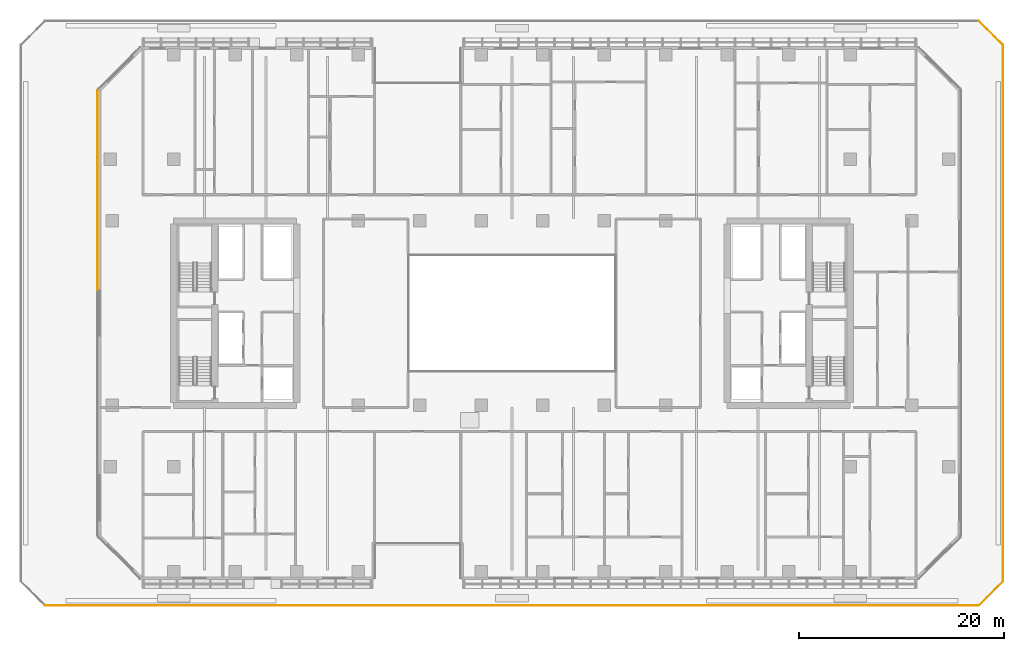
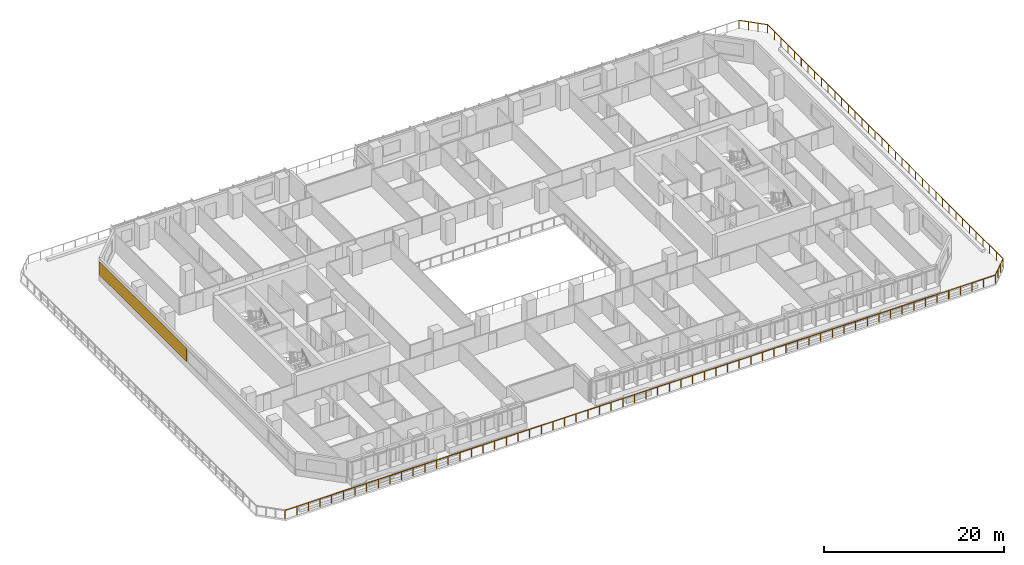
# One storey, part 17 of 23: 1 covering, 1 railing.
"""IFC4 building model written with IfcOpenShell, lengths in metres."""

from ifc_helpers import new_model, si_unit, direction, frame, origin, origin_2d, place, context, subcontext, project, spatial, rectangle, extrude, material, layer, layer_set, type_object, element, save


model = new_model("IFC4")

# Units and contexts
model_context = context("Model", 3, precision=1e-05, world=origin(), true_north=direction((0.0, 1.0)))
body_context = subcontext(model_context, "Body", "Model", "MODEL_VIEW")
ifc_project = project(units=[si_unit("LENGTHUNIT", "METRE"), si_unit("AREAUNIT", "SQUARE_METRE"), si_unit("VOLUMEUNIT", "CUBIC_METRE"), si_unit("PLANEANGLEUNIT", "RADIAN"), si_unit("MASSUNIT", "GRAM", prefix="KILO")], contexts=[model_context])

# Site, building, storey
site_placement = place(None, origin())
site = spatial("IfcSite", under=ifc_project, at=site_placement, CompositionType="ELEMENT")
building_placement = place(site_placement, origin())
building = spatial("IfcBuilding", under=site, at=building_placement, Name="Tanjung Sevakor Pilgrim Tower", CompositionType="ELEMENT")
storey_placement = place(building_placement, frame((0.0, 0.0, 29.0400390625)))
storey = spatial("IfcBuildingStorey", under=building, at=storey_placement, Name="L07", CompositionType="ELEMENT", Elevation=29.0400390625)

# Covering
ifc_material_1 = material(Name="Reconstructed Limestone Cladding", Category="masonry")
ifc_layer = layer(ifc_material_1, 0.044921875)
ifc_layer_set = layer_set([ifc_layer], Name="COV-CLAD-LIMESTONE")
covering_type = type_object("IfcCoveringType", Name="COV-CLAD-LIMESTONE", PredefinedType="CLADDING", material=ifc_layer_set)
covering_placement = place(storey_placement, frame((16.577392578125, 45.575927734375, 0.849853515625), z_axis=(0.0, 0.0, 1.0), x_axis=(0.0, -1.0, 0.0)))
element("IfcCovering", 1, at=covering_placement, inside=storey, type_object=covering_type, Name="L07 Warm Limestone Pier Panel EW-L07-MAIN-15-1", PredefinedType="CLADDING", context=body_context, shape_type="SweptSolid", body=[
    extrude(rectangle(XDim=19.451904296875, YDim=0.044921875, at=origin_2d()), origin(), (0.0, 0.0, 1.0), 1.81005859375),
])

# Railing
ifc_material_2 = material(Name="Steel S355J2", Category="steel")
railing_type = type_object("IfcRailingType", Name="RL-EXT-GUARD", PredefinedType="GUARDRAIL", material=ifc_material_2)
railing_placement = place(storey_placement, frame((11.44140625, 5.10009765625, 0.0)))
element("IfcRailing", 2, at=railing_placement, inside=storey, type_object=railing_type, Name="L07 Terrace Perimeter Guardrail GR-PODTER-L07-1", PredefinedType="GUARDRAIL", context=body_context, shape_type="SweptSolid", body=[
    extrude(rectangle(XDim=0.0479, YDim=0.0479), frame((0.0, 0.0, 1.1259765625), z_axis=(1.0, 0.0, 0.0), x_axis=(0.0, 1.0, 0.0)), (0.0, 0.0, 1.0), 91.1171875),
    extrude(rectangle(XDim=0.0479, YDim=0.0479), frame((91.1171875, 0.0, 1.1259765625), z_axis=(0.707106781187, 0.707106781187, 0.0), x_axis=(-0.707106781187, 0.707106781187, 0.0)), (0.0, 0.0, 1.0), 3.31103515625),
    extrude(rectangle(XDim=0.0479, YDim=0.0479), frame((93.45849609375, 2.34130859375, 1.1259765625), z_axis=(0.0, 1.0, 0.0), x_axis=(-1.0, 0.0, 0.0)), (0.0, 0.0, 1.0), 52.317138671875),
    extrude(rectangle(XDim=0.0479, YDim=0.0479), frame((93.45849609375, 54.658447265625, 1.1259765625), z_axis=(-0.707069915266, 0.707143645185, 0.0), x_axis=(-0.707143645185, -0.707069915266, 0.0)), (0.0, 0.0, 1.0), 3.311279296875),
    extrude(rectangle(XDim=0.042, YDim=0.042), origin(), (0.0, 0.0, 1.0), 1.101806640625),
    extrude(rectangle(XDim=0.042, YDim=0.042), frame((1.49365234375, 0.0, 0.0)), (0.0, 0.0, 1.0), 1.101806640625),
    extrude(rectangle(XDim=0.042, YDim=0.042), frame((2.987548828125, 0.0, 0.0)), (0.0, 0.0, 1.0), 1.101806640625),
    extrude(rectangle(XDim=0.042, YDim=0.042), frame((4.481201171875, 0.0, 0.0)), (0.0, 0.0, 1.0), 1.101806640625),
    extrude(rectangle(XDim=0.042, YDim=0.042), frame((5.974853515625, 0.0, 0.0)), (0.0, 0.0, 1.0), 1.101806640625),
    extrude(rectangle(XDim=0.042, YDim=0.042), frame((7.468505859375, 0.0, 0.0)), (0.0, 0.0, 1.0), 1.101806640625),
    extrude(rectangle(XDim=0.042, YDim=0.042), frame((8.96240234375, 0.0, 0.0)), (0.0, 0.0, 1.0), 1.101806640625),
    extrude(rectangle(XDim=0.042, YDim=0.042), frame((10.4560546875, 0.0, 0.0)), (0.0, 0.0, 1.0), 1.101806640625),
    extrude(rectangle(XDim=0.042, YDim=0.042), frame((11.94970703125, 0.0, 0.0)), (0.0, 0.0, 1.0), 1.101806640625),
    extrude(rectangle(XDim=0.042, YDim=0.042), frame((13.443603515625, 0.0, 0.0)), (0.0, 0.0, 1.0), 1.101806640625),
    extrude(rectangle(XDim=0.042, YDim=0.042), frame((14.937255859375, 0.0, 0.0)), (0.0, 0.0, 1.0), 1.101806640625),
    extrude(rectangle(XDim=0.042, YDim=0.042), frame((16.430908203125, 0.0, 0.0)), (0.0, 0.0, 1.0), 1.101806640625),
    extrude(rectangle(XDim=0.042, YDim=0.042), frame((17.9248046875, 0.0, 0.0)), (0.0, 0.0, 1.0), 1.101806640625),
    extrude(rectangle(XDim=0.042, YDim=0.042), frame((19.41845703125, 0.0, 0.0)), (0.0, 0.0, 1.0), 1.101806640625),
    extrude(rectangle(XDim=0.042, YDim=0.042), frame((20.912109375, 0.0, 0.0)), (0.0, 0.0, 1.0), 1.101806640625),
    extrude(rectangle(XDim=0.042, YDim=0.042), frame((22.40576171875, 0.0, 0.0)), (0.0, 0.0, 1.0), 1.101806640625),
    extrude(rectangle(XDim=0.042, YDim=0.042), frame((23.899658203125, 0.0, 0.0)), (0.0, 0.0, 1.0), 1.101806640625),
    extrude(rectangle(XDim=0.042, YDim=0.042), frame((25.393310546875, 0.0, 0.0)), (0.0, 0.0, 1.0), 1.101806640625),
    extrude(rectangle(XDim=0.042, YDim=0.042), frame((26.886962890625, 0.0, 0.0)), (0.0, 0.0, 1.0), 1.101806640625),
    extrude(rectangle(XDim=0.042, YDim=0.042), frame((28.380859375, 0.0, 0.0)), (0.0, 0.0, 1.0), 1.101806640625),
    extrude(rectangle(XDim=0.042, YDim=0.042), frame((29.87451171875, 0.0, 0.0)), (0.0, 0.0, 1.0), 1.101806640625),
    extrude(rectangle(XDim=0.042, YDim=0.042), frame((31.3681640625, 0.0, 0.0)), (0.0, 0.0, 1.0), 1.101806640625),
    extrude(rectangle(XDim=0.042, YDim=0.042), frame((32.86181640625, 0.0, 0.0)), (0.0, 0.0, 1.0), 1.101806640625),
    extrude(rectangle(XDim=0.042, YDim=0.042), frame((34.355712890625, 0.0, 0.0)), (0.0, 0.0, 1.0), 1.101806640625),
    extrude(rectangle(XDim=0.042, YDim=0.042), frame((35.849365234375, 0.0, 0.0)), (0.0, 0.0, 1.0), 1.101806640625),
    extrude(rectangle(XDim=0.042, YDim=0.042), frame((37.343017578125, 0.0, 0.0)), (0.0, 0.0, 1.0), 1.101806640625),
    extrude(rectangle(XDim=0.042, YDim=0.042), frame((38.8369140625, 0.0, 0.0)), (0.0, 0.0, 1.0), 1.101806640625),
    extrude(rectangle(XDim=0.042, YDim=0.042), frame((40.33056640625, 0.0, 0.0)), (0.0, 0.0, 1.0), 1.101806640625),
    extrude(rectangle(XDim=0.042, YDim=0.042), frame((41.82421875, 0.0, 0.0)), (0.0, 0.0, 1.0), 1.101806640625),
    extrude(rectangle(XDim=0.042, YDim=0.042), frame((43.318115234375, 0.0, 0.0)), (0.0, 0.0, 1.0), 1.101806640625),
    extrude(rectangle(XDim=0.042, YDim=0.042), frame((44.811767578125, 0.0, 0.0)), (0.0, 0.0, 1.0), 1.101806640625),
    extrude(rectangle(XDim=0.042, YDim=0.042), frame((46.305419921875, 0.0, 0.0)), (0.0, 0.0, 1.0), 1.101806640625),
    extrude(rectangle(XDim=0.042, YDim=0.042), frame((47.799072265625, 0.0, 0.0)), (0.0, 0.0, 1.0), 1.101806640625),
    extrude(rectangle(XDim=0.042, YDim=0.042), frame((49.29296875, 0.0, 0.0)), (0.0, 0.0, 1.0), 1.101806640625),
    extrude(rectangle(XDim=0.042, YDim=0.042), frame((50.78662109375, 0.0, 0.0)), (0.0, 0.0, 1.0), 1.101806640625),
    extrude(rectangle(XDim=0.042, YDim=0.042), frame((52.2802734375, 0.0, 0.0)), (0.0, 0.0, 1.0), 1.101806640625),
    extrude(rectangle(XDim=0.042, YDim=0.042), frame((53.774169921875, 0.0, 0.0)), (0.0, 0.0, 1.0), 1.101806640625),
    extrude(rectangle(XDim=0.042, YDim=0.042), frame((55.267822265625, 0.0, 0.0)), (0.0, 0.0, 1.0), 1.101806640625),
    extrude(rectangle(XDim=0.042, YDim=0.042), frame((56.761474609375, 0.0, 0.0)), (0.0, 0.0, 1.0), 1.101806640625),
    extrude(rectangle(XDim=0.042, YDim=0.042), frame((58.25537109375, 0.0, 0.0)), (0.0, 0.0, 1.0), 1.101806640625),
    extrude(rectangle(XDim=0.042, YDim=0.042), frame((59.7490234375, 0.0, 0.0)), (0.0, 0.0, 1.0), 1.101806640625),
    extrude(rectangle(XDim=0.042, YDim=0.042), frame((61.24267578125, 0.0, 0.0)), (0.0, 0.0, 1.0), 1.101806640625),
    extrude(rectangle(XDim=0.042, YDim=0.042), frame((62.736328125, 0.0, 0.0)), (0.0, 0.0, 1.0), 1.101806640625),
    extrude(rectangle(XDim=0.042, YDim=0.042), frame((64.230224609375, 0.0, 0.0)), (0.0, 0.0, 1.0), 1.101806640625),
    extrude(rectangle(XDim=0.042, YDim=0.042), frame((65.723876953125, 0.0, 0.0)), (0.0, 0.0, 1.0), 1.101806640625),
    extrude(rectangle(XDim=0.042, YDim=0.042), frame((67.217529296875, 0.0, 0.0)), (0.0, 0.0, 1.0), 1.101806640625),
    extrude(rectangle(XDim=0.042, YDim=0.042), frame((68.71142578125, 0.0, 0.0)), (0.0, 0.0, 1.0), 1.101806640625),
    extrude(rectangle(XDim=0.042, YDim=0.042), frame((70.205078125, 0.0, 0.0)), (0.0, 0.0, 1.0), 1.101806640625),
    extrude(rectangle(XDim=0.042, YDim=0.042), frame((71.69873046875, 0.0, 0.0)), (0.0, 0.0, 1.0), 1.101806640625),
    extrude(rectangle(XDim=0.042, YDim=0.042), frame((73.1923828125, 0.0, 0.0)), (0.0, 0.0, 1.0), 1.101806640625),
    extrude(rectangle(XDim=0.042, YDim=0.042), frame((74.686279296875, 0.0, 0.0)), (0.0, 0.0, 1.0), 1.101806640625),
    extrude(rectangle(XDim=0.042, YDim=0.042), frame((76.179931640625, 0.0, 0.0)), (0.0, 0.0, 1.0), 1.101806640625),
    extrude(rectangle(XDim=0.042, YDim=0.042), frame((77.673583984375, 0.0, 0.0)), (0.0, 0.0, 1.0), 1.101806640625),
    extrude(rectangle(XDim=0.042, YDim=0.042), frame((79.16748046875, 0.0, 0.0)), (0.0, 0.0, 1.0), 1.101806640625),
    extrude(rectangle(XDim=0.042, YDim=0.042), frame((80.6611328125, 0.0, 0.0)), (0.0, 0.0, 1.0), 1.101806640625),
    extrude(rectangle(XDim=0.042, YDim=0.042), frame((82.15478515625, 0.0, 0.0)), (0.0, 0.0, 1.0), 1.101806640625),
    extrude(rectangle(XDim=0.042, YDim=0.042), frame((83.648681640625, 0.0, 0.0)), (0.0, 0.0, 1.0), 1.101806640625),
    extrude(rectangle(XDim=0.042, YDim=0.042), frame((85.142333984375, 0.0, 0.0)), (0.0, 0.0, 1.0), 1.101806640625),
    extrude(rectangle(XDim=0.042, YDim=0.042), frame((86.635986328125, 0.0, 0.0)), (0.0, 0.0, 1.0), 1.101806640625),
    extrude(rectangle(XDim=0.042, YDim=0.042), frame((88.129638671875, 0.0, 0.0)), (0.0, 0.0, 1.0), 1.101806640625),
    extrude(rectangle(XDim=0.042, YDim=0.042), frame((89.62353515625, 0.0, 0.0)), (0.0, 0.0, 1.0), 1.101806640625),
    extrude(rectangle(XDim=0.042, YDim=0.042), frame((91.1171875, 0.0, 0.0)), (0.0, 0.0, 1.0), 1.101806640625),
    extrude(rectangle(XDim=0.042, YDim=0.042), frame((91.897705078125, 0.780517578125, 0.0)), (0.0, 0.0, 1.0), 1.101806640625),
    extrude(rectangle(XDim=0.042, YDim=0.042), frame((92.677978515625, 1.560791015625, 0.0)), (0.0, 0.0, 1.0), 1.101806640625),
    extrude(rectangle(XDim=0.042, YDim=0.042), frame((93.45849609375, 2.34130859375, 0.0)), (0.0, 0.0, 1.0), 1.101806640625),
    extrude(rectangle(XDim=0.042, YDim=0.042), frame((93.45849609375, 3.836181640625, 0.0)), (0.0, 0.0, 1.0), 1.101806640625),
    extrude(rectangle(XDim=0.042, YDim=0.042), frame((93.45849609375, 5.330810546875, 0.0)), (0.0, 0.0, 1.0), 1.101806640625),
    extrude(rectangle(XDim=0.042, YDim=0.042), frame((93.45849609375, 6.82568359375, 0.0)), (0.0, 0.0, 1.0), 1.101806640625),
    extrude(rectangle(XDim=0.042, YDim=0.042), frame((93.45849609375, 8.3203125, 0.0)), (0.0, 0.0, 1.0), 1.101806640625),
    extrude(rectangle(XDim=0.042, YDim=0.042), frame((93.45849609375, 9.815185546875, 0.0)), (0.0, 0.0, 1.0), 1.101806640625),
    extrude(rectangle(XDim=0.042, YDim=0.042), frame((93.45849609375, 11.31005859375, 0.0)), (0.0, 0.0, 1.0), 1.101806640625),
    extrude(rectangle(XDim=0.042, YDim=0.042), frame((93.45849609375, 12.8046875, 0.0)), (0.0, 0.0, 1.0), 1.101806640625),
    extrude(rectangle(XDim=0.042, YDim=0.042), frame((93.45849609375, 14.299560546875, 0.0)), (0.0, 0.0, 1.0), 1.101806640625),
    extrude(rectangle(XDim=0.042, YDim=0.042), frame((93.45849609375, 15.794189453125, 0.0)), (0.0, 0.0, 1.0), 1.101806640625),
    extrude(rectangle(XDim=0.042, YDim=0.042), frame((93.45849609375, 17.2890625, 0.0)), (0.0, 0.0, 1.0), 1.101806640625),
    extrude(rectangle(XDim=0.042, YDim=0.042), frame((93.45849609375, 18.783935546875, 0.0)), (0.0, 0.0, 1.0), 1.101806640625),
    extrude(rectangle(XDim=0.042, YDim=0.042), frame((93.45849609375, 20.278564453125, 0.0)), (0.0, 0.0, 1.0), 1.101806640625),
    extrude(rectangle(XDim=0.042, YDim=0.042), frame((93.45849609375, 21.7734375, 0.0)), (0.0, 0.0, 1.0), 1.101806640625),
    extrude(rectangle(XDim=0.042, YDim=0.042), frame((93.45849609375, 23.26806640625, 0.0)), (0.0, 0.0, 1.0), 1.101806640625),
    extrude(rectangle(XDim=0.042, YDim=0.042), frame((93.45849609375, 24.762939453125, 0.0)), (0.0, 0.0, 1.0), 1.101806640625),
    extrude(rectangle(XDim=0.042, YDim=0.042), frame((93.45849609375, 26.2578125, 0.0)), (0.0, 0.0, 1.0), 1.101806640625),
    extrude(rectangle(XDim=0.042, YDim=0.042), frame((93.45849609375, 27.75244140625, 0.0)), (0.0, 0.0, 1.0), 1.101806640625),
    extrude(rectangle(XDim=0.042, YDim=0.042), frame((93.45849609375, 29.247314453125, 0.0)), (0.0, 0.0, 1.0), 1.101806640625),
    extrude(rectangle(XDim=0.042, YDim=0.042), frame((93.45849609375, 30.741943359375, 0.0)), (0.0, 0.0, 1.0), 1.101806640625),
    extrude(rectangle(XDim=0.042, YDim=0.042), frame((93.45849609375, 32.23681640625, 0.0)), (0.0, 0.0, 1.0), 1.101806640625),
    extrude(rectangle(XDim=0.042, YDim=0.042), frame((93.45849609375, 33.731689453125, 0.0)), (0.0, 0.0, 1.0), 1.101806640625),
    extrude(rectangle(XDim=0.042, YDim=0.042), frame((93.45849609375, 35.226318359375, 0.0)), (0.0, 0.0, 1.0), 1.101806640625),
    extrude(rectangle(XDim=0.042, YDim=0.042), frame((93.45849609375, 36.72119140625, 0.0)), (0.0, 0.0, 1.0), 1.101806640625),
    extrude(rectangle(XDim=0.042, YDim=0.042), frame((93.45849609375, 38.2158203125, 0.0)), (0.0, 0.0, 1.0), 1.101806640625),
    extrude(rectangle(XDim=0.042, YDim=0.042), frame((93.45849609375, 39.710693359375, 0.0)), (0.0, 0.0, 1.0), 1.101806640625),
    extrude(rectangle(XDim=0.042, YDim=0.042), frame((93.45849609375, 41.20556640625, 0.0)), (0.0, 0.0, 1.0), 1.101806640625),
    extrude(rectangle(XDim=0.042, YDim=0.042), frame((93.45849609375, 42.7001953125, 0.0)), (0.0, 0.0, 1.0), 1.101806640625),
    extrude(rectangle(XDim=0.042, YDim=0.042), frame((93.45849609375, 44.195068359375, 0.0)), (0.0, 0.0, 1.0), 1.101806640625),
    extrude(rectangle(XDim=0.042, YDim=0.042), frame((93.45849609375, 45.689697265625, 0.0)), (0.0, 0.0, 1.0), 1.101806640625),
    extrude(rectangle(XDim=0.042, YDim=0.042), frame((93.45849609375, 47.1845703125, 0.0)), (0.0, 0.0, 1.0), 1.101806640625),
    extrude(rectangle(XDim=0.042, YDim=0.042), frame((93.45849609375, 48.679443359375, 0.0)), (0.0, 0.0, 1.0), 1.101806640625),
    extrude(rectangle(XDim=0.042, YDim=0.042), frame((93.45849609375, 50.174072265625, 0.0)), (0.0, 0.0, 1.0), 1.101806640625),
    extrude(rectangle(XDim=0.042, YDim=0.042), frame((93.45849609375, 51.6689453125, 0.0)), (0.0, 0.0, 1.0), 1.101806640625),
    extrude(rectangle(XDim=0.042, YDim=0.042), frame((93.45849609375, 53.16357421875, 0.0)), (0.0, 0.0, 1.0), 1.101806640625),
    extrude(rectangle(XDim=0.042, YDim=0.042), frame((93.45849609375, 54.658447265625, 0.0)), (0.0, 0.0, 1.0), 1.101806640625),
    extrude(rectangle(XDim=0.042, YDim=0.042), frame((92.677978515625, 55.43896484375, 0.0)), (0.0, 0.0, 1.0), 1.101806640625),
    extrude(rectangle(XDim=0.042, YDim=0.042), frame((91.897705078125, 56.219482421875, 0.0)), (0.0, 0.0, 1.0), 1.101806640625),
    extrude(rectangle(XDim=0.042, YDim=0.042), frame((91.1171875, 57.0, 0.0)), (0.0, 0.0, 1.0), 1.101806640625),
])

save(model, "model.ifc")
